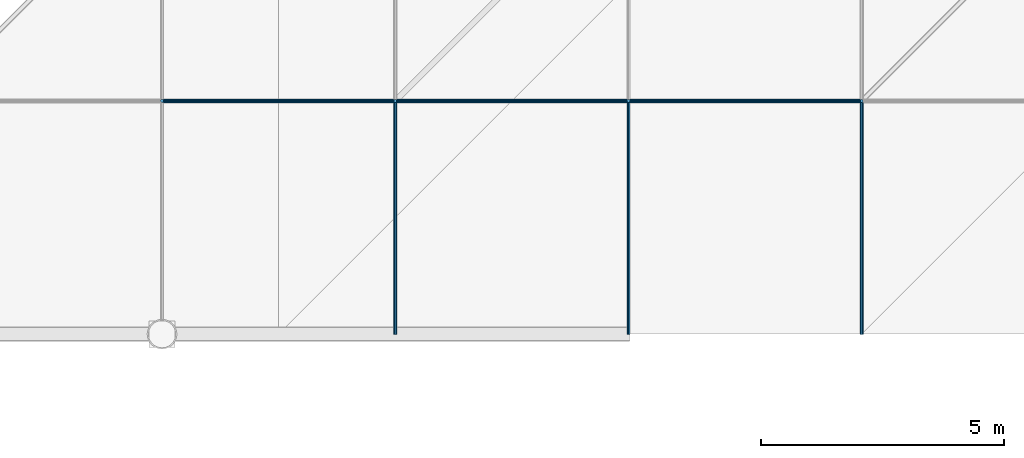
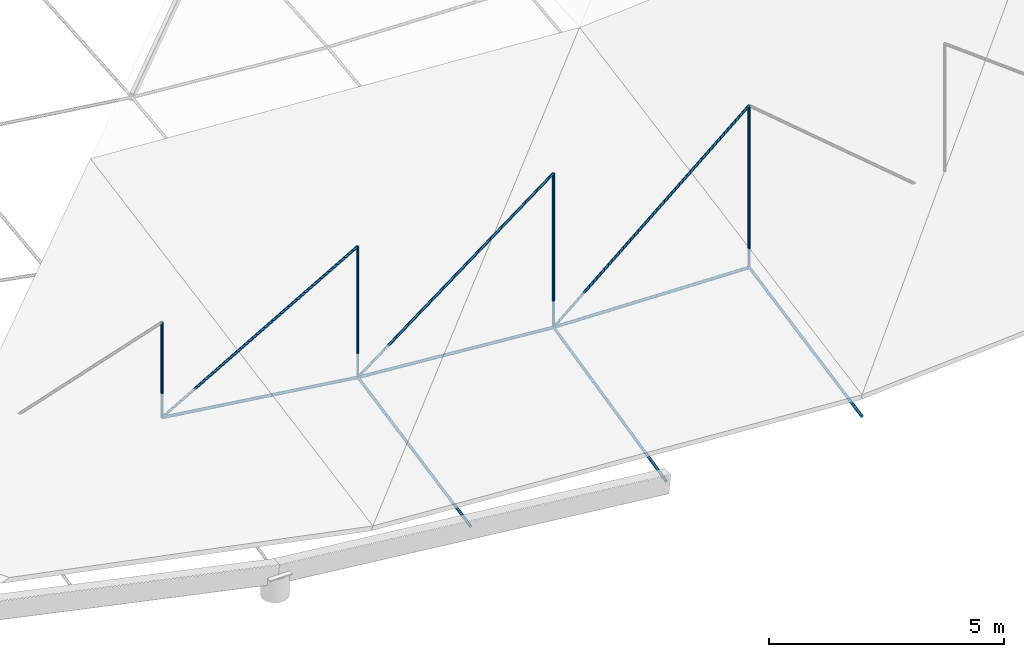
# One storey, part 15 of 40: 13 members.
"""IFC4 building model written with IfcOpenShell, lengths in metres."""

from ifc_helpers import new_model, si_unit, direction, frame, origin, origin_2d, place, context, subcontext, project, spatial, circle, extrude, material, material_profile, profile_set, type_object, element, save


model = new_model("IFC4")

# Units and contexts
model_context = context("Model", 3, precision=1e-05, world=origin(), true_north=direction((0.0, 1.0)))
body_context = subcontext(model_context, "Body", "Model", "MODEL_VIEW")
ifc_project = project(units=[si_unit("LENGTHUNIT", "METRE"), si_unit("AREAUNIT", "SQUARE_METRE"), si_unit("VOLUMEUNIT", "CUBIC_METRE"), si_unit("PLANEANGLEUNIT", "RADIAN"), si_unit("MASSUNIT", "GRAM", prefix="KILO")], contexts=[model_context])

# Site, building, storey
site_placement = place(None, origin())
site = spatial("IfcSite", under=ifc_project, at=site_placement, CompositionType="ELEMENT")
building_placement = place(site_placement, origin())
building = spatial("IfcBuilding", under=site, at=building_placement, Name="Zevrakil Square Congress Hotel", CompositionType="ELEMENT")
storey_placement = place(building_placement, frame((0.0, 0.0, 18.10009765625)))
storey = spatial("IfcBuildingStorey", under=building, at=storey_placement, Name="L05", CompositionType="ELEMENT", Elevation=18.10009765625)

# Members
ifc_material_1 = material(Name="Steel S355", Category="steel")
ifc_material_profile_1 = material_profile(ifc_material_1, circle(Radius=0.030029296875, at=origin_2d()), Name="CABLE RD60")
ifc_profile_set_1 = profile_set([ifc_material_profile_1], Name="Steel S355")
member_type_1 = type_object("IfcMemberType", Name="MEM-CABLE-RD60", PredefinedType="USERDEFINED", material=ifc_profile_set_1)
member_1_placement = place(storey_placement, frame((127.199951171875, 69.60009765625, 1.681884765625), z_axis=(0.0, 0.0, 1.0), x_axis=(1.0, 0.0, 0.0)))
element("IfcMember", 1, at=member_1_placement, inside=storey, type_object=member_type_1, Name="Congress cable-truss vertical tie CBW-01-2", ObjectType="ROOF CABLE", PredefinedType="USERDEFINED", context=body_context, shape_type="SweptSolid", body=[
    extrude(circle(Radius=0.030029296875, at=origin_2d()), origin(), (0.0, 0.0, 1.0), 2.46875),
])
member_2_placement = place(storey_placement, frame((127.199951171875, 69.60009765625, 1.681884765625), z_axis=(0.867079197454, 0.0, 0.498170317605), x_axis=(0.0, 1.0, 0.0)))
element("IfcMember", 2, at=member_2_placement, inside=storey, type_object=member_type_1, Name="Congress cable-truss web diagonal CBD-01-3", ObjectType="ROOF CABLE", PredefinedType="USERDEFINED", context=body_context, shape_type="SweptSolid", body=[
    extrude(circle(Radius=0.030029296875, at=origin_2d()), origin(), (0.0, 0.0, 1.0), 5.535888671875),
])
member_3_placement = place(storey_placement, frame((132.0, 69.60009765625, 1.0419921875), z_axis=(0.0, 0.0, 1.0), x_axis=(1.0, 0.0, 0.0)))
element("IfcMember", 3, at=member_3_placement, inside=storey, type_object=member_type_1, Name="Congress cable-truss vertical tie CBW-01-3", ObjectType="ROOF CABLE", PredefinedType="USERDEFINED", context=body_context, shape_type="SweptSolid", body=[
    extrude(circle(Radius=0.030029296875, at=origin_2d()), origin(), (0.0, 0.0, 1.0), 3.397705078125),
])
member_4_placement = place(storey_placement, frame((132.0, 69.60009765625, 1.0419921875), z_axis=(0.799174909116, 0.0, 0.601098548192), x_axis=(0.0, 1.0, 0.0)))
element("IfcMember", 4, at=member_4_placement, inside=storey, type_object=member_type_1, Name="Congress cable-truss web diagonal CBD-01-4", ObjectType="ROOF CABLE", PredefinedType="USERDEFINED", context=body_context, shape_type="SweptSolid", body=[
    extrude(circle(Radius=0.030029296875, at=origin_2d()), origin(), (0.0, 0.0, 1.0), 6.00634765625),
])
member_5_placement = place(storey_placement, frame((136.800048828125, 69.60009765625, 0.657958984375), z_axis=(0.0, 0.0, 1.0), x_axis=(1.0, 0.0, 0.0)))
element("IfcMember", 5, at=member_5_placement, inside=storey, type_object=member_type_1, Name="Congress cable-truss vertical tie CBW-01-4", ObjectType="ROOF CABLE", PredefinedType="USERDEFINED", context=body_context, shape_type="SweptSolid", body=[
    extrude(circle(Radius=0.030029296875, at=origin_2d()), origin(), (0.0, 0.0, 1.0), 3.994384765625),
])
member_6_placement = place(storey_placement, frame((136.800048828125, 69.60009765625, 0.657958984375), z_axis=(0.76256769405, 0.0, 0.646908426279), x_axis=(0.0, 1.0, 0.0)))
element("IfcMember", 6, at=member_6_placement, inside=storey, type_object=member_type_1, Name="Congress cable-truss web diagonal CBD-01-5", ObjectType="ROOF CABLE", PredefinedType="USERDEFINED", context=body_context, shape_type="SweptSolid", body=[
    extrude(circle(Radius=0.030029296875, at=origin_2d()), origin(), (0.0, 0.0, 1.0), 6.294677734375),
])
member_7_placement = place(storey_placement, frame((141.60009765625, 69.60009765625, 0.52978515625), z_axis=(0.0, 0.0, 1.0), x_axis=(1.0, 0.0, 0.0)))
element("IfcMember", 7, at=member_7_placement, inside=storey, type_object=member_type_1, Name="Congress cable-truss vertical tie CBW-01-5", ObjectType="ROOF CABLE", PredefinedType="USERDEFINED", context=body_context, shape_type="SweptSolid", body=[
    extrude(circle(Radius=0.030029296875, at=origin_2d()), origin(), (0.0, 0.0, 1.0), 4.2001953125),
])
ifc_material_2 = material(Name="Steel S355", Category="steel")
ifc_material_profile_2 = material_profile(ifc_material_2, circle(Radius=0.033935546875, at=origin_2d()), Name="CABLE RD68")
ifc_profile_set_2 = profile_set([ifc_material_profile_2], Name="Steel S355")
member_type_2 = type_object("IfcMemberType", Name="MEM-CABLE-RD68", PredefinedType="USERDEFINED", material=ifc_profile_set_2)
member_8_placement = place(storey_placement, frame((132.0, 64.800048828125, 0.08984375), z_axis=(0.0, 0.980496189328, 0.196538094814), x_axis=(-1.0, 0.0, 0.0)))
element("IfcMember", 8, at=member_8_placement, inside=storey, type_object=member_type_2, Name="Congress saddle stabilizing cable CBH-03 seg 1", ObjectType="ROOF CABLE", PredefinedType="USERDEFINED", context=body_context, shape_type="SweptSolid", body=[
    extrude(circle(Radius=0.033935546875, at=origin_2d()), origin(), (0.0, 0.0, 1.0), 4.8955078125),
])
member_9_placement = place(storey_placement, frame((136.800048828125, 64.800048828125, -0.422119140625), z_axis=(0.0, 0.975169384168, 0.221460317395), x_axis=(-1.0, 0.0, 0.0)))
element("IfcMember", 9, at=member_9_placement, inside=storey, type_object=member_type_2, Name="Congress saddle stabilizing cable CBH-04 seg 1", ObjectType="ROOF CABLE", PredefinedType="USERDEFINED", context=body_context, shape_type="SweptSolid", body=[
    extrude(circle(Radius=0.033935546875, at=origin_2d()), origin(), (0.0, 0.0, 1.0), 4.92236328125),
])
member_10_placement = place(storey_placement, frame((141.60009765625, 64.800048828125, -0.422119140625), z_axis=(0.0, 0.980505798462, 0.196490150345), x_axis=(-1.0, 0.0, 0.0)))
element("IfcMember", 10, at=member_10_placement, inside=storey, type_object=member_type_2, Name="Congress saddle stabilizing cable CBH-05 seg 1", ObjectType="ROOF CABLE", PredefinedType="USERDEFINED", context=body_context, shape_type="SweptSolid", body=[
    extrude(circle(Radius=0.033935546875, at=origin_2d()), origin(), (0.0, 0.0, 1.0), 4.8955078125),
])
ifc_material_3 = material(Name="Steel S355", Category="steel")
ifc_material_profile_3 = material_profile(ifc_material_3, circle(Radius=0.0380859375, at=origin_2d()), Name="CABLE RD76")
ifc_profile_set_3 = profile_set([ifc_material_profile_3], Name="Steel S355")
member_type_3 = type_object("IfcMemberType", Name="MEM-CABLE-RD76", PredefinedType="USERDEFINED", material=ifc_profile_set_3)
member_11_placement = place(storey_placement, frame((127.199951171875, 69.60009765625, 1.681884765625), z_axis=(0.99123098262, 0.0, -0.132140603502), x_axis=(0.0, 1.0, 0.0)))
element("IfcMember", 11, at=member_11_placement, inside=storey, type_object=member_type_3, Name="Congress saddle carrying cable CBS-01 seg 3", ObjectType="ROOF CABLE", PredefinedType="USERDEFINED", context=body_context, shape_type="SweptSolid", body=[
    extrude(circle(Radius=0.0380859375, at=origin_2d()), origin(), (0.0, 0.0, 1.0), 4.842529296875),
])
member_12_placement = place(storey_placement, frame((132.0, 69.60009765625, 1.0419921875), z_axis=(0.996814794892, 0.0, -0.079751267604), x_axis=(0.0, 1.0, 0.0)))
element("IfcMember", 12, at=member_12_placement, inside=storey, type_object=member_type_3, Name="Congress saddle carrying cable CBS-01 seg 4", ObjectType="ROOF CABLE", PredefinedType="USERDEFINED", context=body_context, shape_type="SweptSolid", body=[
    extrude(circle(Radius=0.0380859375, at=origin_2d()), origin(), (0.0, 0.0, 1.0), 4.8154296875),
])
member_13_placement = place(storey_placement, frame((136.800048828125, 69.60009765625, 0.657958984375), z_axis=(0.999643675871, 0.0, -0.026693094442), x_axis=(0.0, 1.0, 0.0)))
element("IfcMember", 13, at=member_13_placement, inside=storey, type_object=member_type_3, Name="Congress saddle carrying cable CBS-01 seg 5", ObjectType="ROOF CABLE", PredefinedType="USERDEFINED", context=body_context, shape_type="SweptSolid", body=[
    extrude(circle(Radius=0.0380859375, at=origin_2d()), origin(), (0.0, 0.0, 1.0), 4.8017578125),
])

save(model, "model.ifc")
